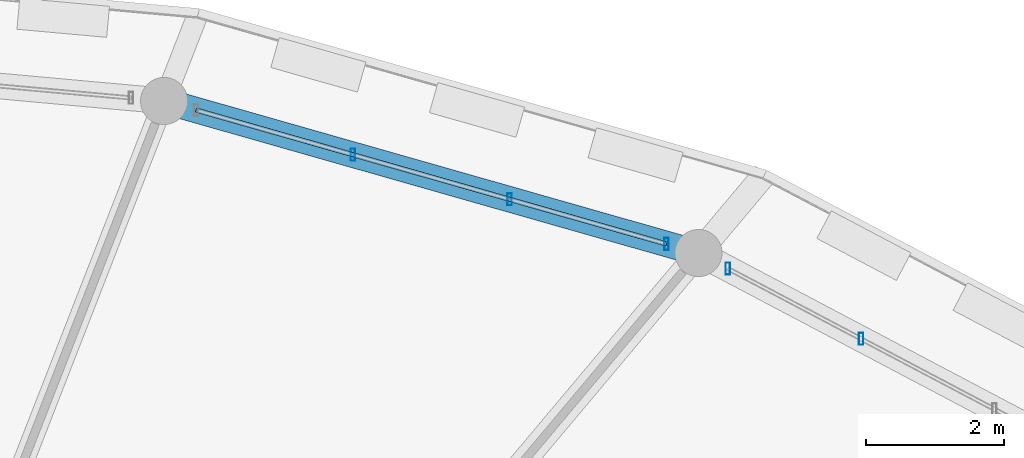
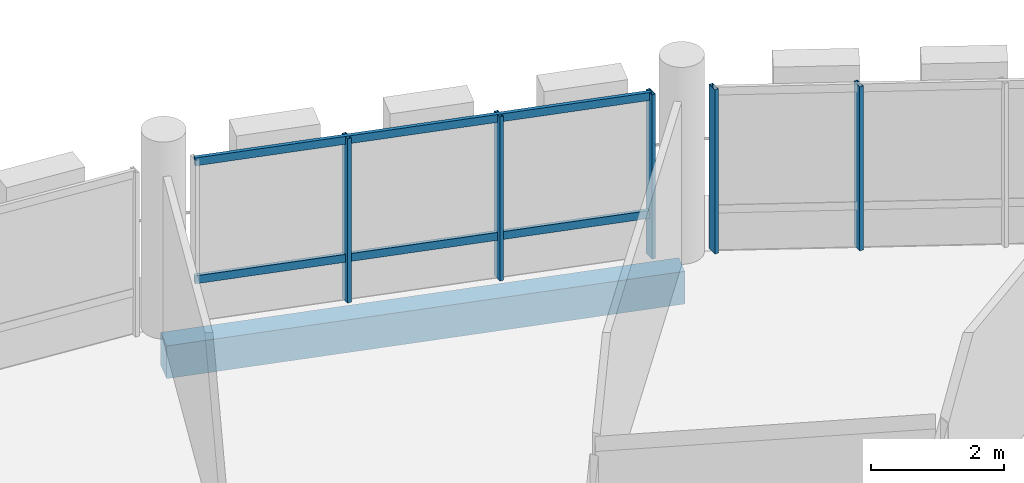
# One storey, part 72 of 128: 7 members, 1 beam, 2 elements without a shape of their own.
"""IFC4 building model written with IfcOpenShell, lengths in metres."""

from ifc_helpers import new_model, si_unit, direction, frame, origin, origin_2d, place, context, subcontext, project, spatial, rectangle, hollow_rectangle, extrude, material, material_profile, profile_set, type_object, element, aggregate, save


model = new_model("IFC4")

# Units and contexts
model_context = context("Model", 3, precision=1e-05, world=origin(), true_north=direction((0.0, 1.0)))
body_context = subcontext(model_context, "Body", "Model", "MODEL_VIEW")
ifc_project = project(units=[si_unit("LENGTHUNIT", "METRE"), si_unit("AREAUNIT", "SQUARE_METRE"), si_unit("VOLUMEUNIT", "CUBIC_METRE"), si_unit("PLANEANGLEUNIT", "RADIAN"), si_unit("MASSUNIT", "GRAM", prefix="KILO")], contexts=[model_context])

# Site, building, storey
site_placement = place(None, origin())
site = spatial("IfcSite", under=ifc_project, at=site_placement, CompositionType="ELEMENT")
building_placement = place(site_placement, origin())
building = spatial("IfcBuilding", under=site, at=building_placement, Name="Zornivar Specialist Clinic", CompositionType="ELEMENT")
storey_placement = place(building_placement, frame((0.0, 0.0, 4.5)))
storey = spatial("IfcBuildingStorey", under=building, at=storey_placement, Name="L01", CompositionType="ELEMENT", Elevation=4.5)

# Beam
ifc_material_1 = material(Name="Concrete C30/37", Category="concrete")
ifc_material_profile_1 = material_profile(ifc_material_1, rectangle(XDim=0.3701171875, YDim=0.60009765625, at=origin_2d()), Name="RC 370x600")
ifc_profile_set_1 = profile_set([ifc_material_profile_1], Name="Concrete C30/37")
beam_type = type_object("IfcBeamType", Name="BM-RC-SPANDREL-370x600", PredefinedType="SPANDREL", material=ifc_profile_set_1)
beam_placement = place(storey_placement, frame((109.60009765625, 76.653076171875, -0.5400390625), z_axis=(-0.961790992591, 0.273784744957, 0.0), x_axis=(-0.273784744957, -0.961790992591, 0.0)))
element("IfcBeam", 1, at=beam_placement, inside=storey, type_object=beam_type, Name="bm:V1:L01:outring:04", PredefinedType="SPANDREL", context=body_context, shape_type="SweptSolid", body=[
    extrude(rectangle(XDim=0.3701171875, YDim=0.60009765625, at=origin_2d()), origin(), (0.0, 0.0, 1.0), 8.024658203125),
])

# Curtain wall, members
ifc_material_2 = material(Name="Aluminium and Low-E Glass Curtain Wall", Category="aluminium")
curtain_wall_type = type_object("IfcCurtainWallType", Name="CW-DRUM-FACET", PredefinedType="NOTDEFINED", material=ifc_material_2)
curtain_wall_1_placement = place(storey_placement, origin())
curtain_wall_1 = element("IfcCurtainWall", 2, at=curtain_wall_1_placement, inside=storey, type_object=curtain_wall_type, Name="cw:V1:L01:c03", PredefinedType="NOTDEFINED")
ifc_material_3 = material(Name="Aluminium AW-6060", Category="aluminium")
ifc_material_profile_2 = material_profile(ifc_material_3, hollow_rectangle(XDim=0.06494140625, YDim=0.175048828125, WallThickness=0.00439453125, at=origin_2d()), Name="ALU 65x175x4.5")
ifc_profile_set_2 = profile_set([ifc_material_profile_2], Name="Aluminium AW-6060")
member_type_1 = type_object("IfcMemberType", Name="CWM-MUL-175", PredefinedType="MULLION", material=ifc_profile_set_2)
member_1_placement = place(storey_placement, frame((111.949951171875, 75.4130859375, 0.0), z_axis=(0.0, 0.0, 1.0), x_axis=(1.0, 0.0, 0.0)))
member_1 = element("IfcMember", 3, at=member_1_placement, type_object=member_type_1, Name="cw:V1:L01:c03:mul:2", PredefinedType="MULLION", context=body_context, shape_type="SweptSolid", body=[
    extrude(hollow_rectangle(XDim=0.06494140625, YDim=0.175048828125, WallThickness=0.00439453125, at=origin_2d()), origin(), (0.0, 0.0, 1.0), 3.010009765625),
])
member_2_placement = place(storey_placement, frame((110.02392578125, 76.428955078125, 0.0), z_axis=(0.0, 0.0, 1.0), x_axis=(1.0, 0.0, 0.0)))
member_2 = element("IfcMember", 4, at=member_2_placement, type_object=member_type_1, Name="cw:V1:L01:c03:mul:3", PredefinedType="MULLION", context=body_context, shape_type="SweptSolid", body=[
    extrude(hollow_rectangle(XDim=0.06494140625, YDim=0.175048828125, WallThickness=0.00439453125, at=origin_2d()), origin(), (0.0, 0.0, 1.0), 3.010009765625),
])
aggregate(curtain_wall_1, [member_1, member_2])

curtain_wall_2_placement = place(storey_placement, origin())
curtain_wall_2 = element("IfcCurtainWall", 5, at=curtain_wall_2_placement, inside=storey, type_object=curtain_wall_type, Name="cw:V1:L01:c04", PredefinedType="NOTDEFINED")
member_3_placement = place(storey_placement, frame((109.138916015625, 76.783935546875, 0.0), z_axis=(0.0, 0.0, 1.0), x_axis=(1.0, 0.0, 0.0)))
member_3 = element("IfcMember", 6, at=member_3_placement, type_object=member_type_1, Name="cw:V1:L01:c04:mul:0", PredefinedType="MULLION", context=body_context, shape_type="SweptSolid", body=[
    extrude(hollow_rectangle(XDim=0.06494140625, YDim=0.175048828125, WallThickness=0.00439453125, at=origin_2d()), origin(), (0.0, 0.0, 1.0), 3.010009765625),
])
member_4_placement = place(storey_placement, frame((106.8740234375, 77.428955078125, 0.0), z_axis=(0.0, 0.0, 1.0), x_axis=(1.0, 0.0, 0.0)))
member_4 = element("IfcMember", 7, at=member_4_placement, type_object=member_type_1, Name="cw:V1:L01:c04:mul:1", PredefinedType="MULLION", context=body_context, shape_type="SweptSolid", body=[
    extrude(hollow_rectangle(XDim=0.06494140625, YDim=0.175048828125, WallThickness=0.00439453125, at=origin_2d()), origin(), (0.0, 0.0, 1.0), 3.010009765625),
])
member_5_placement = place(storey_placement, frame((104.60791015625, 78.072998046875, 0.0), z_axis=(0.0, 0.0, 1.0), x_axis=(1.0, 0.0, 0.0)))
member_5 = element("IfcMember", 8, at=member_5_placement, type_object=member_type_1, Name="cw:V1:L01:c04:mul:2", PredefinedType="MULLION", context=body_context, shape_type="SweptSolid", body=[
    extrude(hollow_rectangle(XDim=0.06494140625, YDim=0.175048828125, WallThickness=0.00439453125, at=origin_2d()), origin(), (0.0, 0.0, 1.0), 3.010009765625),
])
ifc_material_4 = material(Name="Aluminium AW-6060", Category="aluminium")
ifc_material_profile_3 = material_profile(ifc_material_4, hollow_rectangle(XDim=0.06005859375, YDim=0.14501953125, WallThickness=0.00390625, at=origin_2d()), Name="ALU 60x145x4")
ifc_profile_set_3 = profile_set([ifc_material_profile_3], Name="Aluminium AW-6060")
member_type_2 = type_object("IfcMemberType", Name="CWM-TRN-145", PredefinedType="USERDEFINED", material=ifc_profile_set_3)
member_6_placement = place(storey_placement, frame((109.138916015625, 76.783935546875, 0.782958984375), z_axis=(-0.961771283353, 0.27385397298, 0.0), x_axis=(-0.27385397298, -0.961771283353, 0.0)))
member_6 = element("IfcMember", 9, at=member_6_placement, type_object=member_type_2, Name="cw:V1:L01:c04:trn:0", ObjectType="TRANSOM", PredefinedType="USERDEFINED", context=body_context, shape_type="SweptSolid", body=[
    extrude(hollow_rectangle(XDim=0.06005859375, YDim=0.14501953125, WallThickness=0.00390625, at=origin_2d()), origin(), (0.0, 0.0, 1.0), 7.06591796875),
])
member_7_placement = place(storey_placement, frame((109.138916015625, 76.783935546875, 2.945068359375), z_axis=(-0.961771283353, 0.27385397298, 0.0), x_axis=(-0.27385397298, -0.961771283353, 0.0)))
member_7 = element("IfcMember", 10, at=member_7_placement, type_object=member_type_2, Name="cw:V1:L01:c04:trn:1", ObjectType="TRANSOM", PredefinedType="USERDEFINED", context=body_context, shape_type="SweptSolid", body=[
    extrude(hollow_rectangle(XDim=0.06005859375, YDim=0.14501953125, WallThickness=0.00390625, at=origin_2d()), origin(), (0.0, 0.0, 1.0), 7.06591796875),
])
aggregate(curtain_wall_2, [member_3, member_4, member_5, member_6, member_7])

save(model, "model.ifc")
